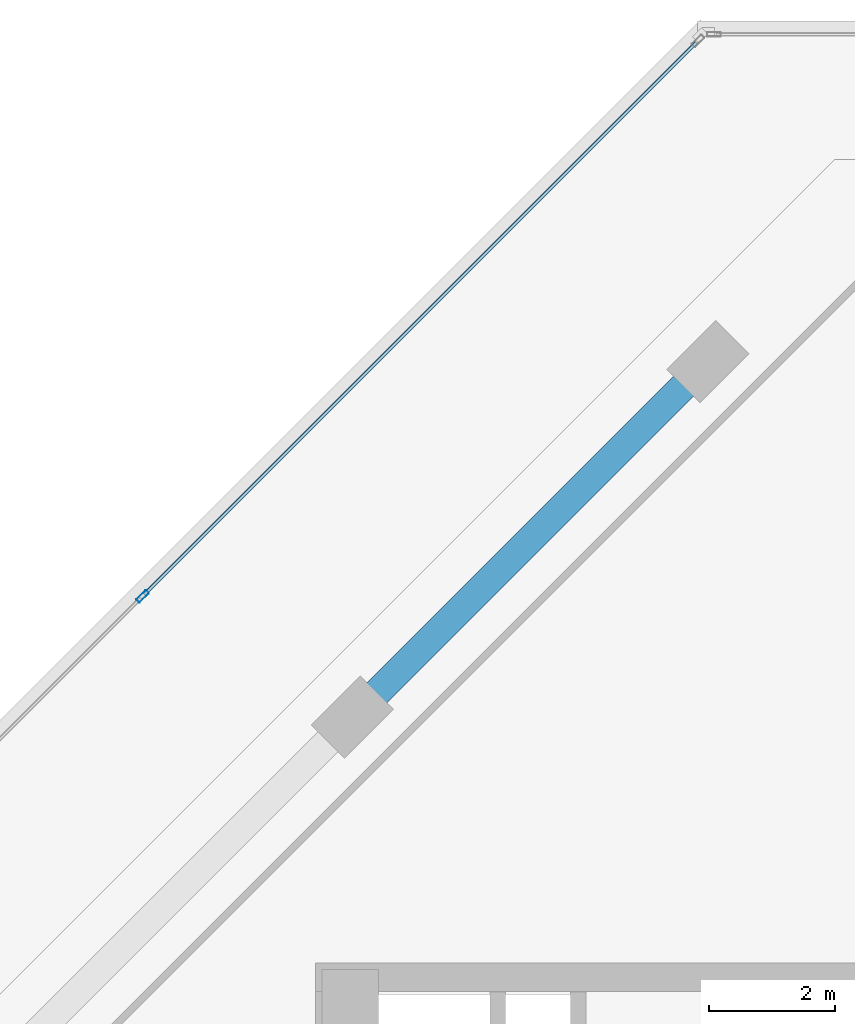
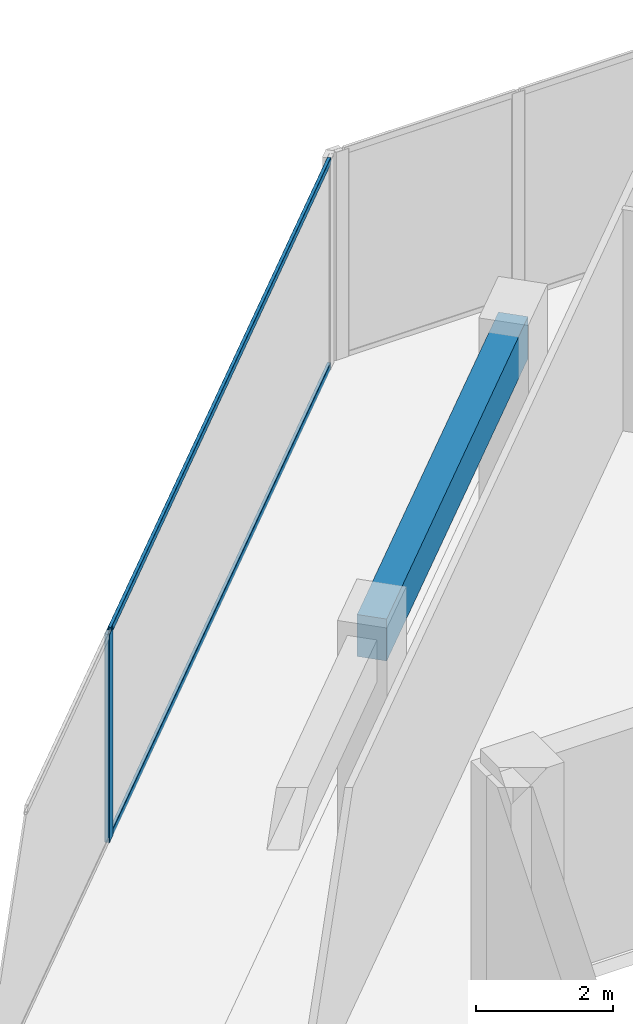
# One storey, part 9 of 18: 3 members, 1 beam, 1 element without a shape of its own.
"""IFC4 building model written with IfcOpenShell, lengths in metres."""

import ifcopenshell
import ifcopenshell.guid

model = None  # the IFC model being written
_history = None  # IfcOwnerHistory: only IFC2X3 demands one
_inside = {}  # id of a spatial element -> (the spatial element, [elements in it])
_under = {}  # id of a project, library or spatial element -> (it, [spatial elements below it])
_declared = {}  # id of a project -> (the project, [libraries it declares])
_typed = {}  # id of a type object -> (the type object, [elements of that type])
_made_of = {}  # id of a material, layer set ... -> (it, [elements and type objects made of it])


def new_model(schema):
    """Start an empty IFC model of exactly this schema.

    Asked for "IFC4X3", IfcOpenShell would pick the latest addendum, in which some entities
    have other attributes; the version numbers below select the first issue.
    IFC2X3 requires an IfcOwnerHistory on every rooted entity: one is made here for all.
    """
    global model, _history
    if schema == "IFC4X3":
        model = ifcopenshell.file(schema_version=(4, 3, 0, 0))
    else:
        model = ifcopenshell.file(schema=schema)
    _inside.clear()
    _under.clear()
    _declared.clear()
    _typed.clear()
    _made_of.clear()
    _history = None
    if model.schema == "IFC2X3":
        org = make("IfcOrganization", Name="unknown")
        user = make(
            "IfcPersonAndOrganization",
            ThePerson=make("IfcPerson", FamilyName="unknown"),
            TheOrganization=org,
        )
        app = make(
            "IfcApplication",
            ApplicationDeveloper=org,
            Version="unknown",
            ApplicationFullName="unknown",
            ApplicationIdentifier="unknown",
        )
        _history = make(
            "IfcOwnerHistory",
            OwningUser=user,
            OwningApplication=app,
            ChangeAction="ADDED",
            CreationDate=0,
        )
    return model


def make(cls, **values):
    """One entity of the class cls with the attributes given. An attribute that is None is left unset."""
    return model.create_entity(
        cls, **{name: value for name, value in values.items() if value is not None}
    )


def rooted(cls, **values):
    """An entity with a GlobalId (a new one), such as an element, a storey or a relation."""
    return make(cls, GlobalId=ifcopenshell.guid.new(), OwnerHistory=_history, **values)


def si_unit(unit_type, name, prefix=None):
    """IfcSIUnit, for example si_unit("LENGTHUNIT", "METRE", prefix="MILLI")."""
    return make("IfcSIUnit", UnitType=unit_type, Prefix=prefix, Name=name)


def assignment(units):
    """IfcUnitAssignment: the units of a project."""
    return None if units is None else make("IfcUnitAssignment", Units=units)


def point(xyz):
    """IfcCartesianPoint."""
    return None if xyz is None else make("IfcCartesianPoint", Coordinates=xyz)


def direction(xyz):
    """IfcDirection."""
    return None if xyz is None else make("IfcDirection", DirectionRatios=xyz)


def frame(location, z_axis=None, x_axis=None):
    """IfcAxis2Placement3D, a coordinate frame: its origin and axes. An axis left out is left unset."""
    return make(
        "IfcAxis2Placement3D",
        Location=point(location),
        Axis=direction(z_axis),
        RefDirection=direction(x_axis),
    )


def frame_2d(location, x_axis=None):
    """IfcAxis2Placement2D, a coordinate frame in the plane: its origin and x axis."""
    return make(
        "IfcAxis2Placement2D", Location=point(location), RefDirection=direction(x_axis)
    )


def origin():
    """The frame at (0, 0, 0) with its axes left unset."""
    return frame((0.0, 0.0, 0.0))


def origin_2d():
    """The frame at (0, 0) in the plane with its x axis left unset."""
    return frame_2d((0.0, 0.0))


def place(relative_to, where):
    """IfcLocalPlacement: puts the frame where relative to a parent placement (None: the world)."""
    return make(
        "IfcLocalPlacement", PlacementRelTo=relative_to, RelativePlacement=where
    )


def context(
    kind, dimensions, precision=None, world=None, true_north=None, identifier=None
):
    """IfcGeometricRepresentationContext, for example the 3D "Model" context."""
    return make(
        "IfcGeometricRepresentationContext",
        ContextIdentifier=identifier,
        ContextType=kind,
        CoordinateSpaceDimension=dimensions,
        Precision=precision,
        WorldCoordinateSystem=world,
        TrueNorth=true_north,
    )


def subcontext(parent, identifier, kind, view, scale=None):
    """IfcGeometricRepresentationSubContext, for example "Body" below "Model"."""
    return make(
        "IfcGeometricRepresentationSubContext",
        ContextIdentifier=identifier,
        ContextType=kind,
        ParentContext=parent,
        TargetScale=scale,
        TargetView=view,
    )


def project(units=None, contexts=None):
    """IfcProject with its units and contexts."""
    return rooted(
        "IfcProject",
        Name="project",
        RepresentationContexts=contexts,
        UnitsInContext=assignment(units),
    )


def spatial(cls, under=None, at=None, **own):
    """A site, building, storey or space (cls), placed at a placement, below another one or the project."""
    s = rooted(cls, ObjectPlacement=at, **own)
    if under is not None:
        _under.setdefault(under.id(), (under, []))[1].append(s)
    return s


def profile(cls, at=None, kind="AREA", **sizes):
    """A parametric profile (cls). Its sizes go by their IFC names, for example OverallWidth=200.0."""
    return make(cls, ProfileType=kind, Position=at, **sizes)


def rectangle(**sizes):
    """IfcRectangleProfileDef."""
    return profile("IfcRectangleProfileDef", **sizes)


def hollow_rectangle(**sizes):
    """IfcRectangleHollowProfileDef."""
    return profile("IfcRectangleHollowProfileDef", **sizes)


def extrude(swept, where, along, depth):
    """IfcExtrudedAreaSolid: the profile swept, set in the frame where, extruded along a direction by depth."""
    return make(
        "IfcExtrudedAreaSolid",
        SweptArea=swept,
        Position=where,
        ExtrudedDirection=direction(along),
        Depth=depth,
    )


def shape(context_of_items, identifier, shape_type, items):
    """IfcShapeRepresentation: the items that make up one representation, for example the "Body"."""
    return make(
        "IfcShapeRepresentation",
        ContextOfItems=context_of_items,
        RepresentationIdentifier=identifier,
        RepresentationType=shape_type,
        Items=items,
    )


def source(mapping_origin, context_of_items, identifier, shape_type, items):
    """IfcRepresentationMap: a shape defined once, which mapped items show again and again."""
    return make(
        "IfcRepresentationMap",
        MappingOrigin=mapping_origin,
        MappedRepresentation=shape(context_of_items, identifier, shape_type, items),
    )


def transform(
    local_origin,
    x_axis=None,
    y_axis=None,
    z_axis=None,
    scale=None,
    scale2=None,
    scale3=None,
    uniform=True,
):
    """IfcCartesianTransformationOperator3D, or its non-uniform kind. x_axis, y_axis, z_axis: its Axis1, 2, 3."""
    if uniform:
        return make(
            "IfcCartesianTransformationOperator3D",
            Axis1=direction(x_axis),
            Axis2=direction(y_axis),
            LocalOrigin=point(local_origin),
            Scale=scale,
            Axis3=direction(z_axis),
        )
    return make(
        "IfcCartesianTransformationOperator3DnonUniform",
        Axis1=direction(x_axis),
        Axis2=direction(y_axis),
        LocalOrigin=point(local_origin),
        Scale=scale,
        Axis3=direction(z_axis),
        Scale2=scale2,
        Scale3=scale3,
    )


def mapped(mapping_source, mapping_target):
    """IfcMappedItem: shows the shape of a source again, moved by a transform."""
    return make(
        "IfcMappedItem", MappingSource=mapping_source, MappingTarget=mapping_target
    )


def material(Name=None, Category=None):
    """IfcMaterial."""
    return make("IfcMaterial", Name=Name, Category=Category)


def material_profile(
    of_material, cross_section, Name=None, Category=None, Priority=None
):
    """IfcMaterialProfile: a cross section and its material."""
    return make(
        "IfcMaterialProfile",
        Name=Name,
        Material=of_material,
        Profile=cross_section,
        Priority=Priority,
        Category=Category,
    )


def profile_set(profiles, Name=None, composite=None):
    """IfcMaterialProfileSet."""
    return make(
        "IfcMaterialProfileSet",
        Name=Name,
        MaterialProfiles=profiles,
        CompositeProfile=composite,
    )


def made_of(thing, what):
    """Note that an element or type object is made of a material, layer set ...; save() writes the relation."""
    if what is not None:
        _made_of.setdefault(what.id(), (what, []))[1].append(thing)
    return thing


def type_object(cls, material=None, **own):
    """A type object (cls), such as IfcWallType, which elements share."""
    return made_of(rooted(cls, **own), material)


def element(
    cls,
    number,
    at=None,
    inside=None,
    cuts=None,
    type_object=None,
    material=None,
    context=None,
    identifier="Body",
    shape_type=None,
    held_by="IfcProductDefinitionShape",
    body=None,
    shapes=None,
    **own,
):
    """One element of the class cls, such as IfcWall. Its Tag is "e" and its number.

    at: its placement. inside: the storey or other place that contains it. cuts: it is an
    opening in that element (IfcRelVoidsElement). A single representation is given by context,
    identifier, shape_type and body (its items); several are given by shapes. held_by: the class
    of the entity that holds the representations. save() writes the other relations.
    """
    e = rooted(cls, Tag="e%d" % number, ObjectPlacement=at, **own)
    if body is not None:
        shapes = [shape(context, identifier, shape_type, body)]
    if shapes is not None:
        e.Representation = make(held_by, Representations=shapes)
    if inside is not None:
        _inside.setdefault(inside.id(), (inside, []))[1].append(e)
    if cuts is not None:
        rooted(
            "IfcRelVoidsElement", RelatingBuildingElement=cuts, RelatedOpeningElement=e
        )
    if type_object is not None:
        _typed.setdefault(type_object.id(), (type_object, []))[1].append(e)
    return made_of(e, material)


def aggregate(whole, parts):
    """IfcRelAggregates: a whole, such as a stair, and the parts it consists of."""
    return rooted("IfcRelAggregates", RelatingObject=whole, RelatedObjects=parts)


def save(model, path):
    """Write the relations noted so far, then the file.

    IfcRelAggregates (storeys below a building ...), IfcRelContainedInSpatialStructure (elements
    in a storey), IfcRelDefinesByType, IfcRelAssociatesMaterial and IfcRelDeclares: one each for
    every whole, place, type object, material and project.
    """
    for whole, parts in _under.values():
        aggregate(whole, parts)
    for where, things in _inside.values():
        rooted(
            "IfcRelContainedInSpatialStructure",
            RelatedElements=things,
            RelatingStructure=where,
        )
    for kind, things in _typed.values():
        rooted("IfcRelDefinesByType", RelatedObjects=things, RelatingType=kind)
    for what, things in _made_of.values():
        rooted("IfcRelAssociatesMaterial", RelatedObjects=things, RelatingMaterial=what)
    for by, libraries in _declared.values():
        rooted("IfcRelDeclares", RelatingContext=by, RelatedDefinitions=libraries)
    model.write(path)


model = new_model("IFC4")

# Units and contexts
model_context = context("Model", 3, precision=1e-05, world=origin(), true_north=direction((0.0, 1.0)))
body_context = subcontext(model_context, "Body", "Model", "MODEL_VIEW")
ifc_project = project(units=[si_unit("LENGTHUNIT", "METRE"), si_unit("AREAUNIT", "SQUARE_METRE"), si_unit("VOLUMEUNIT", "CUBIC_METRE"), si_unit("PLANEANGLEUNIT", "RADIAN"), si_unit("MASSUNIT", "GRAM", prefix="KILO")], contexts=[model_context])

# Site, building, storey
site_placement = place(None, origin())
site = spatial("IfcSite", under=ifc_project, at=site_placement, CompositionType="ELEMENT")
building_placement = place(site_placement, origin())
building = spatial("IfcBuilding", under=site, at=building_placement, Name="Torre Montelarca", CompositionType="ELEMENT")
storey_placement = place(building_placement, frame((0.0, 0.0, 245.800048828125)))
storey = spatial("IfcBuildingStorey", under=building, at=storey_placement, Name="L55", CompositionType="ELEMENT", Elevation=245.800048828125)

# Beam
ifc_material_1 = material(Name="Concrete C55/67", Category="concrete")
ifc_material_profile_1 = material_profile(ifc_material_1, rectangle(XDim=0.449951171875, YDim=0.75, at=origin_2d()), Name="RCB450X750", Category="concrete")
ifc_profile_set_1 = profile_set([ifc_material_profile_1], Name="Concrete C55/67")
beam_type = type_object("IfcBeamType", Name="BM-SP-RC750-EXT", PredefinedType="SPANDREL", material=ifc_profile_set_1)
shared_shape_1 = source(origin(), body_context, "Body", "SweptSolid", [
    extrude(rectangle(XDim=0.449951171875, YDim=0.75, at=origin_2d()), origin(), (0.0, 0.0, 1.0), 8.0),
])
beam_placement = place(storey_placement, frame((9.585205078125, 43.914794921875, 3.5849609375), z_axis=(0.707122039795, 0.707091522249, 0.0), x_axis=(-0.707091522249, 0.707122039795, 0.0)))
element("IfcBeam", 1, at=beam_placement, inside=storey, type_object=beam_type, Name="L55 Grid Girder Y 32.0-40.0 at X=4.7", PredefinedType="SPANDREL", context=body_context, shape_type="MappedRepresentation", body=[
    mapped(shared_shape_1, transform((0.0, 0.0, 0.0), scale=1.0)),
])

# Curtain wall, members
ifc_material_2 = material(Name="Insulated low-E laminated glass", Category="glass")
curtain_wall_type = type_object("IfcCurtainWallType", Name="CW-SYS-Z3", PredefinedType="USERDEFINED", material=ifc_material_2)
curtain_wall_placement = place(storey_placement, origin())
curtain_wall = element("IfcCurtainWall", 2, at=curtain_wall_placement, inside=storey, type_object=curtain_wall_type, Name="L55 Curtain Wall Run CW-T3-L55-E10-B1", ObjectType="UNITISED GLAZING", PredefinedType="USERDEFINED")
ifc_material_3 = material(Name="Anodised aluminium AA 6063-T6", Category="aluminium")
ifc_material_profile_2 = material_profile(ifc_material_3, hollow_rectangle(XDim=0.054931640625, YDim=0.1201171875, WallThickness=0.00341796875, InnerFilletRadius=0.00341796875, OuterFilletRadius=0.007080078125, at=origin_2d()), Name="ALU55X120X3.5", Category="aluminium")
ifc_profile_set_2 = profile_set([ifc_material_profile_2], Name="Anodised aluminium AA 6063-T6")
member_type_1 = type_object("IfcMemberType", Name="CWT-ALU120", PredefinedType="USERDEFINED", material=ifc_profile_set_2)
shared_shape_2 = source(origin(), body_context, "Body", "SweptSolid", [
    extrude(hollow_rectangle(XDim=0.054931640625, YDim=0.1201171875, WallThickness=0.00341796875, InnerFilletRadius=0.00341796875, OuterFilletRadius=0.007080078125, at=origin_2d()), origin(), (0.0, 0.0, 1.0), 12.421630859375),
])
member_1_placement = place(storey_placement, frame((15.0576171875, 54.64794921875, 0.02734375), z_axis=(-0.707106781187, -0.707106781187, 0.0), x_axis=(0.707106781187, -0.707106781187, 0.0)))
member_1 = element("IfcMember", 3, at=member_1_placement, type_object=member_type_1, Name="CW transom 1.1", ObjectType="TRANSOM", PredefinedType="USERDEFINED", context=body_context, shape_type="MappedRepresentation", body=[
    mapped(shared_shape_2, transform((0.0, 0.0, 0.0), scale=1.0)),
])
member_2_placement = place(storey_placement, frame((15.0576171875, 54.64794921875, 3.6923828125), z_axis=(-0.707106781187, -0.707106781187, 0.0), x_axis=(0.707106781187, -0.707106781187, 0.0)))
member_2 = element("IfcMember", 4, at=member_2_placement, type_object=member_type_1, Name="CW transom 1.2", ObjectType="TRANSOM", PredefinedType="USERDEFINED", context=body_context, shape_type="MappedRepresentation", body=[
    mapped(shared_shape_2, transform((0.0, 0.0, 0.0), scale=1.0)),
])
ifc_material_profile_3 = material_profile(ifc_material_3, hollow_rectangle(XDim=0.074951171875, YDim=0.219970703125, WallThickness=0.0048828125, InnerFilletRadius=0.0048828125, OuterFilletRadius=0.010009765625, at=origin_2d()), Name="ALU75X220X5", Category="aluminium")
ifc_profile_set_3 = profile_set([ifc_material_profile_3], Name="Anodised aluminium AA 6063-T6")
member_type_2 = type_object("IfcMemberType", Name="CWM-ALU220", PredefinedType="MULLION", material=ifc_profile_set_3)
shared_shape_3 = source(origin(), body_context, "Body", "SweptSolid", [
    extrude(hollow_rectangle(XDim=0.074951171875, YDim=0.219970703125, WallThickness=0.0048828125, InnerFilletRadius=0.0048828125, OuterFilletRadius=0.010009765625, at=origin_2d()), origin(), (0.0, 0.0, 1.0), 3.719970703125),
])
member_3_placement = place(storey_placement, frame((6.24755859375, 45.838134765625, 0.0), z_axis=(0.0, 0.0, 1.0), x_axis=(0.707108775742, -0.707104786625, 0.0)))
member_3 = element("IfcMember", 5, at=member_3_placement, type_object=member_type_2, Name="CW mullion 2", PredefinedType="MULLION", context=body_context, shape_type="MappedRepresentation", body=[
    mapped(shared_shape_3, transform((0.0, 0.0, 0.0), scale=1.0)),
])
aggregate(curtain_wall, [member_3, member_1, member_2])

save(model, "model.ifc")
